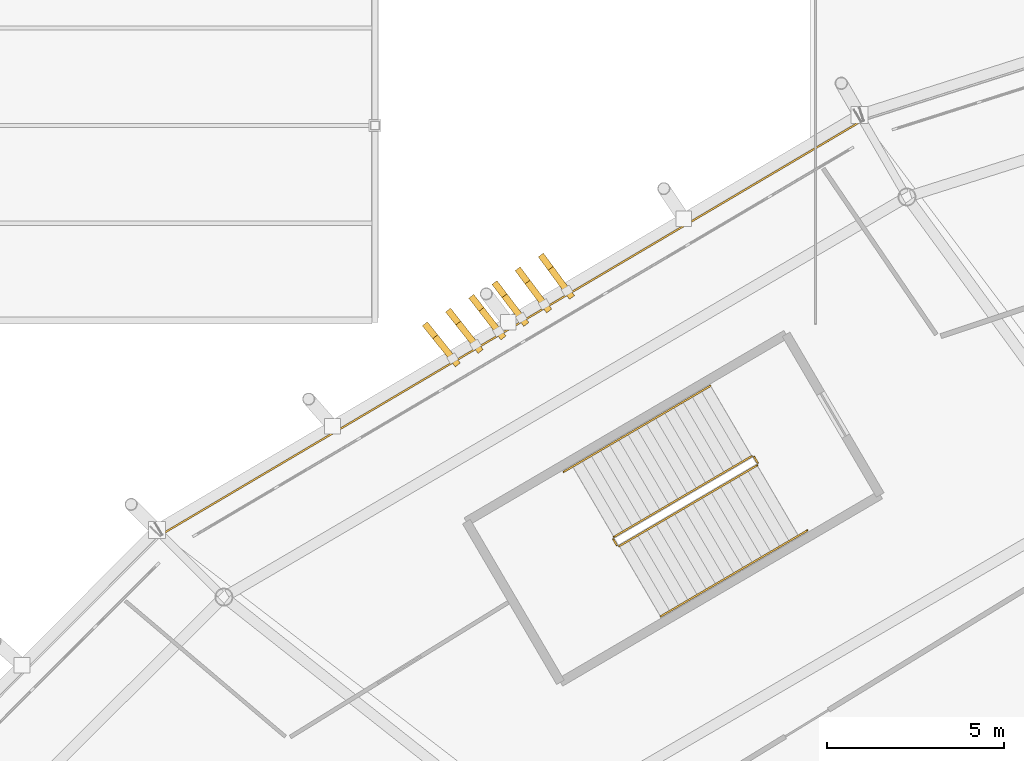
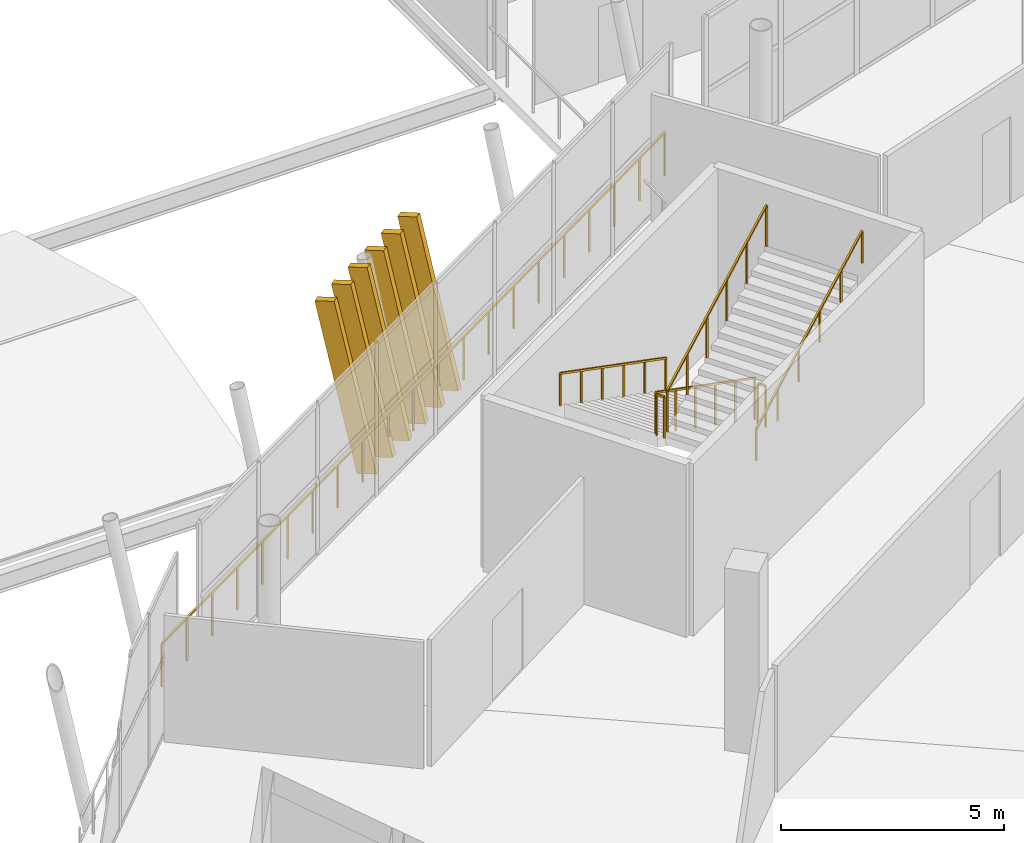
# One storey, part 172 of 179: 7 railings, 6 shading devices.
"""IFC4 building model written with IfcOpenShell, lengths in metres."""

from ifc_helpers import new_model, si_unit, direction, frame, origin, origin_2d, place, context, subcontext, project, spatial, rectangle, extrude, material, material_profile, profile_set, type_object, element, save


model = new_model("IFC4")

# Units and contexts
model_context = context("Model", 3, precision=1e-05, world=origin(), true_north=direction((0.0, 1.0)))
body_context = subcontext(model_context, "Body", "Model", "MODEL_VIEW")
ifc_project = project(units=[si_unit("LENGTHUNIT", "METRE"), si_unit("AREAUNIT", "SQUARE_METRE"), si_unit("VOLUMEUNIT", "CUBIC_METRE"), si_unit("PLANEANGLEUNIT", "RADIAN"), si_unit("MASSUNIT", "GRAM", prefix="KILO")], contexts=[model_context])

# Site, building, storey
site_placement = place(None, origin())
site = spatial("IfcSite", under=ifc_project, at=site_placement, CompositionType="ELEMENT")
building_placement = place(site_placement, origin())
building = spatial("IfcBuilding", under=site, at=building_placement, Name="Zlatoyarsky Gate Stadium", CompositionType="ELEMENT")
storey_placement = place(building_placement, frame((0.0, 0.0, 10.60009765625)))
storey = spatial("IfcBuildingStorey", under=building, at=storey_placement, Name="L02", CompositionType="ELEMENT", Elevation=10.60009765625)

# Railings
ifc_material_1 = material(Name="Powder-coated steel tubular guardrail", Category="steel")
railing_type_1 = type_object("IfcRailingType", Name="CONCOURSE SLAB EDGE GUARDRAIL 1200", PredefinedType="GUARDRAIL", material=ifc_material_1)
railing_1_placement = place(storey_placement, frame((63.252197265625, 143.6494140625, 0.0)))
element("IfcRailing", 1, at=railing_1_placement, inside=storey, type_object=railing_type_1, Name="L02 outer slab edge guardrail 08", PredefinedType="GUARDRAIL", context=body_context, shape_type="SweptSolid", body=[
    extrude(rectangle(XDim=0.048095703125, YDim=0.048095703125, at=origin_2d()), frame((0.0, 0.0, 1.17578125), z_axis=(-0.861062134778, -0.50849975423, 0.0), x_axis=(0.50849975423, -0.861062134778, 0.0)), (0.0, 0.0, 1.0), 22.969482421875),
    extrude(rectangle(XDim=0.0419921875, YDim=0.0419921875, at=origin_2d()), origin(), (0.0, 0.0, 1.0), 1.15185546875),
    extrude(rectangle(XDim=0.0419921875, YDim=0.0419921875, at=origin_2d()), frame((-0.989013671875, -0.583984375, 0.0)), (0.0, 0.0, 1.0), 1.15185546875),
    extrude(rectangle(XDim=0.0419921875, YDim=0.0419921875, at=origin_2d()), frame((-1.977783203125, -1.16796875, 0.0)), (0.0, 0.0, 1.0), 1.15185546875),
    extrude(rectangle(XDim=0.0419921875, YDim=0.0419921875, at=origin_2d()), frame((-2.966796875, -1.751953125, 0.0)), (0.0, 0.0, 1.0), 1.15185546875),
    extrude(rectangle(XDim=0.0419921875, YDim=0.0419921875, at=origin_2d()), frame((-3.95556640625, -2.3359375, 0.0)), (0.0, 0.0, 1.0), 1.15185546875),
    extrude(rectangle(XDim=0.0419921875, YDim=0.0419921875, at=origin_2d()), frame((-4.944580078125, -2.919921875, 0.0)), (0.0, 0.0, 1.0), 1.15185546875),
    extrude(rectangle(XDim=0.0419921875, YDim=0.0419921875, at=origin_2d()), frame((-5.933349609375, -3.50390625, 0.0)), (0.0, 0.0, 1.0), 1.15185546875),
    extrude(rectangle(XDim=0.0419921875, YDim=0.0419921875, at=origin_2d()), frame((-6.92236328125, -4.087890625, 0.0)), (0.0, 0.0, 1.0), 1.15185546875),
    extrude(rectangle(XDim=0.0419921875, YDim=0.0419921875, at=origin_2d()), frame((-7.9111328125, -4.671875, 0.0)), (0.0, 0.0, 1.0), 1.15185546875),
    extrude(rectangle(XDim=0.0419921875, YDim=0.0419921875, at=origin_2d()), frame((-8.900146484375, -5.255859375, 0.0)), (0.0, 0.0, 1.0), 1.15185546875),
    extrude(rectangle(XDim=0.0419921875, YDim=0.0419921875, at=origin_2d()), frame((-9.88916015625, -5.83984375, 0.0)), (0.0, 0.0, 1.0), 1.15185546875),
    extrude(rectangle(XDim=0.0419921875, YDim=0.0419921875, at=origin_2d()), frame((-10.8779296875, -6.424072265625, 0.0)), (0.0, 0.0, 1.0), 1.15185546875),
    extrude(rectangle(XDim=0.0419921875, YDim=0.0419921875, at=origin_2d()), frame((-11.866943359375, -7.008056640625, 0.0)), (0.0, 0.0, 1.0), 1.15185546875),
    extrude(rectangle(XDim=0.0419921875, YDim=0.0419921875, at=origin_2d()), frame((-12.855712890625, -7.592041015625, 0.0)), (0.0, 0.0, 1.0), 1.15185546875),
    extrude(rectangle(XDim=0.0419921875, YDim=0.0419921875, at=origin_2d()), frame((-13.8447265625, -8.176025390625, 0.0)), (0.0, 0.0, 1.0), 1.15185546875),
    extrude(rectangle(XDim=0.0419921875, YDim=0.0419921875, at=origin_2d()), frame((-14.83349609375, -8.760009765625, 0.0)), (0.0, 0.0, 1.0), 1.15185546875),
    extrude(rectangle(XDim=0.0419921875, YDim=0.0419921875, at=origin_2d()), frame((-15.822509765625, -9.343994140625, 0.0)), (0.0, 0.0, 1.0), 1.15185546875),
    extrude(rectangle(XDim=0.0419921875, YDim=0.0419921875, at=origin_2d()), frame((-16.811279296875, -9.927978515625, 0.0)), (0.0, 0.0, 1.0), 1.15185546875),
    extrude(rectangle(XDim=0.0419921875, YDim=0.0419921875, at=origin_2d()), frame((-17.80029296875, -10.511962890625, 0.0)), (0.0, 0.0, 1.0), 1.15185546875),
    extrude(rectangle(XDim=0.0419921875, YDim=0.0419921875, at=origin_2d()), frame((-18.7890625, -11.095947265625, 0.0)), (0.0, 0.0, 1.0), 1.15185546875),
    extrude(rectangle(XDim=0.0419921875, YDim=0.0419921875, at=origin_2d()), frame((-19.778076171875, -11.679931640625, 0.0)), (0.0, 0.0, 1.0), 1.15185546875),
])
ifc_material_2 = material(Name="Powder-coated steel stair guardrail", Category="steel")
railing_type_2 = type_object("IfcRailingType", Name="PAINTED STEEL STAIR WELL GUARDRAIL 1150", PredefinedType="GUARDRAIL", material=ifc_material_2)
railing_2_placement = place(storey_placement, frame((60.1220703125, 134.1767578125, 0.15625)))
element("IfcRailing", 2, at=railing_2_placement, inside=storey, type_object=railing_type_2, Name="ST-05 L02 stair guard 1", PredefinedType="GUARDRAIL", context=body_context, shape_type="SweptSolid", body=[
    extrude(rectangle(XDim=0.048095703125, YDim=0.048095703125, at=origin_2d()), frame((0.0, 0.0, 1.1259765625), z_axis=(-0.765266852459, -0.448314340063, 0.461931701685), x_axis=(0.505475820858, -0.862840770089, 0.0)), (0.0, 0.0, 1.0), 5.07373046875),
    extrude(rectangle(XDim=0.0419921875, YDim=0.0419921875, at=origin_2d()), origin(), (0.0, 0.0, 1.0), 1.101806640625),
    extrude(rectangle(XDim=0.0419921875, YDim=0.0419921875, at=origin_2d()), frame((-0.776611328125, -0.454833984375, 0.46875)), (0.0, 0.0, 1.0), 1.101806640625),
    extrude(rectangle(XDim=0.0419921875, YDim=0.0419921875, at=origin_2d()), frame((-1.55322265625, -0.909912109375, 0.9375)), (0.0, 0.0, 1.0), 1.101806640625),
    extrude(rectangle(XDim=0.0419921875, YDim=0.0419921875, at=origin_2d()), frame((-2.32958984375, -1.36474609375, 1.40625)), (0.0, 0.0, 1.0), 1.101806640625),
    extrude(rectangle(XDim=0.0419921875, YDim=0.0419921875, at=origin_2d()), frame((-3.106201171875, -1.81982421875, 1.875)), (0.0, 0.0, 1.0), 1.101806640625),
    extrude(rectangle(XDim=0.0419921875, YDim=0.0419921875, at=origin_2d()), frame((-3.8828125, -2.274658203125, 2.34375)), (0.0, 0.0, 1.0), 1.101806640625),
])
railing_3_placement = place(storey_placement, frame((56.221435546875, 131.833740234375, 2.5)))
element("IfcRailing", 3, at=railing_3_placement, inside=storey, type_object=railing_type_2, Name="ST-05 L02 stair guard 2", PredefinedType="GUARDRAIL", context=body_context, shape_type="SweptSolid", body=[
    extrude(rectangle(XDim=0.048095703125, YDim=0.048095703125, at=origin_2d()), frame((0.0, 0.0, 1.1259765625), z_axis=(0.505312229679, -0.862936585467, 0.0), x_axis=(0.862936585467, 0.505312229679, 0.0)), (0.0, 0.0, 1.0), 0.199951171875),
    extrude(rectangle(XDim=0.0419921875, YDim=0.0419921875, at=origin_2d()), origin(), (0.0, 0.0, 1.0), 1.101806640625),
    extrude(rectangle(XDim=0.0419921875, YDim=0.0419921875, at=origin_2d()), frame((0.10107421875, -0.172607421875, 0.0)), (0.0, 0.0, 1.0), 1.101806640625),
])
railing_4_placement = place(storey_placement, frame((56.390869140625, 131.643310546875, 2.65625)))
element("IfcRailing", 4, at=railing_4_placement, inside=storey, type_object=railing_type_2, Name="ST-05 L02 stair guard 3", PredefinedType="GUARDRAIL", context=body_context, shape_type="SweptSolid", body=[
    extrude(rectangle(XDim=0.048095703125, YDim=0.048095703125, at=origin_2d()), frame((0.0, 0.0, 1.1259765625), z_axis=(0.765266852459, 0.448314340063, 0.461931701685), x_axis=(-0.505475820858, 0.862840770089, 0.0)), (0.0, 0.0, 1.0), 5.07373046875),
    extrude(rectangle(XDim=0.0419921875, YDim=0.0419921875, at=origin_2d()), origin(), (0.0, 0.0, 1.0), 1.101806640625),
    extrude(rectangle(XDim=0.0419921875, YDim=0.0419921875, at=origin_2d()), frame((0.776611328125, 0.454833984375, 0.46875)), (0.0, 0.0, 1.0), 1.101806640625),
    extrude(rectangle(XDim=0.0419921875, YDim=0.0419921875, at=origin_2d()), frame((1.55322265625, 0.909912109375, 0.9375)), (0.0, 0.0, 1.0), 1.101806640625),
    extrude(rectangle(XDim=0.0419921875, YDim=0.0419921875, at=origin_2d()), frame((2.32958984375, 1.36474609375, 1.40625)), (0.0, 0.0, 1.0), 1.101806640625),
    extrude(rectangle(XDim=0.0419921875, YDim=0.0419921875, at=origin_2d()), frame((3.106201171875, 1.81982421875, 1.875)), (0.0, 0.0, 1.0), 1.101806640625),
    extrude(rectangle(XDim=0.0419921875, YDim=0.0419921875, at=origin_2d()), frame((3.8828125, 2.274658203125, 2.34375)), (0.0, 0.0, 1.0), 1.101806640625),
])
railing_5_placement = place(storey_placement, frame((60.190673828125, 134.158935546875, 0.0)))
element("IfcRailing", 5, at=railing_5_placement, inside=storey, type_object=railing_type_2, Name="ST-05 L02 stair guard 4", PredefinedType="GUARDRAIL", context=body_context, shape_type="SweptSolid", body=[
    extrude(rectangle(XDim=0.048095703125, YDim=0.048095703125, at=origin_2d()), frame((0.0, 0.0, 1.1259765625), z_axis=(0.505312229679, -0.862936585467, 0.0), x_axis=(0.862936585467, 0.505312229679, 0.0)), (0.0, 0.0, 1.0), 0.199951171875),
    extrude(rectangle(XDim=0.0419921875, YDim=0.0419921875, at=origin_2d()), origin(), (0.0, 0.0, 1.0), 1.101806640625),
    extrude(rectangle(XDim=0.0419921875, YDim=0.0419921875, at=origin_2d()), frame((0.10107421875, -0.172607421875, 0.0)), (0.0, 0.0, 1.0), 1.101806640625),
])

# Shading devices
ifc_material_3 = material(Name="Precast concrete C40/50 stone-toned architectural rib", Category="masonry")
ifc_material_profile = material_profile(ifc_material_3, rectangle(XDim=0.179931640625, YDim=0.47998046875, at=origin_2d()), Name="RIB 180X480")
ifc_profile_set = profile_set([ifc_material_profile], Name="Precast concrete C40/50 stone-toned architectural rib")
shading_device_type = type_object("IfcShadingDeviceType", Name="PRECAST RIBBED BOWL LOUVRE FIN 180X480", PredefinedType="JALOUSIE", material=ifc_profile_set)
shading_device_1_placement = place(storey_placement, frame((54.917236328125, 138.841796875, -0.010009765625), z_axis=(-0.131100145938, 0.178608670651, 0.975147011739), x_axis=(-0.806145655377, -0.591717147222, 0.0)))
element("IfcShadingDevice", 6, at=shading_device_1_placement, inside=storey, type_object=shading_device_type, Name="Leaning bowl louvre fin L02-08-1", PredefinedType="JALOUSIE", context=body_context, shape_type="SweptSolid", body=[
    extrude(rectangle(XDim=0.179931640625, YDim=0.47998046875, at=origin_2d()), origin(), (0.0, 0.0, 1.0), 4.59423828125),
])
for number, where, z_axis, x_axis, name in (
    (7, (54.271484375, 138.460205078125, -0.010009765625), (-0.132589693304, 0.177441677732, 0.975158666184), (-0.801063945585, -0.598578779346, 0.0), "Leaning bowl louvre fin L02-08-2"),
    (8, (53.625732421875, 138.078857421875, -0.010009765625), (-0.134078796155, 0.176274025702, 0.97516682895), (-0.795921692274, -0.605399586858, 0.0), "Leaning bowl louvre fin L02-08-3"),
):
    element("IfcShadingDevice", number, at=place(storey_placement, frame(where, z_axis=z_axis, x_axis=x_axis)), inside=storey, type_object=shading_device_type, Name=name, PredefinedType="JALOUSIE", context=body_context, shape_type="SweptSolid", body=[
        extrude(rectangle(XDim=0.179931640625, YDim=0.47998046875, at=origin_2d()), origin(), (0.0, 0.0, 1.0), 4.593994140625),
    ])
shading_device_2_placement = place(storey_placement, frame((52.97998046875, 137.697265625, -0.010009765625), z_axis=(-0.1356183419, 0.175155977626, 0.975155397279), x_axis=(-0.790693739308, -0.612211900096, 0.0)))
element("IfcShadingDevice", 9, at=shading_device_2_placement, inside=storey, type_object=shading_device_type, Name="Leaning bowl louvre fin L02-08-4", PredefinedType="JALOUSIE", context=body_context, shape_type="SweptSolid", body=[
    extrude(rectangle(XDim=0.179931640625, YDim=0.47998046875, at=origin_2d()), origin(), (0.0, 0.0, 1.0), 4.59423828125),
])
shading_device_3_placement = place(storey_placement, frame((52.334228515625, 137.31591796875, -0.010009765625), z_axis=(-0.13710774835, 0.173935527267, 0.975165574504), x_axis=(-0.785343195798, -0.619060630968, 0.0)))
element("IfcShadingDevice", 10, at=shading_device_3_placement, inside=storey, type_object=shading_device_type, Name="Leaning bowl louvre fin L02-08-5", PredefinedType="JALOUSIE", context=body_context, shape_type="SweptSolid", body=[
    extrude(rectangle(XDim=0.179931640625, YDim=0.47998046875, at=origin_2d()), origin(), (0.0, 0.0, 1.0), 4.593994140625),
])
shading_device_4_placement = place(storey_placement, frame((51.6884765625, 136.934326171875, -0.010009765625), z_axis=(-0.138594127022, 0.172817523419, 0.975154229624), x_axis=(-0.780119326242, -0.625630751181, 0.0)))
element("IfcShadingDevice", 11, at=shading_device_4_placement, inside=storey, type_object=shading_device_type, Name="Leaning bowl louvre fin L02-08-6", PredefinedType="JALOUSIE", context=body_context, shape_type="SweptSolid", body=[
    extrude(rectangle(XDim=0.179931640625, YDim=0.47998046875, at=origin_2d()), origin(), (0.0, 0.0, 1.0), 4.59423828125),
])

# Railings
ifc_material_4 = material(Name="Brushed stainless steel 316 handrail", Category="steel")
railing_type_3 = type_object("IfcRailingType", Name="STAINLESS STEEL TUBULAR HANDRAIL 900", PredefinedType="HANDRAIL", material=ifc_material_4)
railing_6_placement = place(storey_placement, frame((58.959716796875, 136.161376953125, 0.16015625)))
element("IfcRailing", 12, at=railing_6_placement, inside=storey, type_object=railing_type_3, Name="ST-05 L02 stair handrail 1", PredefinedType="HANDRAIL", context=body_context, shape_type="SweptSolid", body=[
    extrude(rectangle(XDim=0.048095703125, YDim=0.048095703125, at=origin_2d()), frame((0.0, 0.0, 0.8759765625), z_axis=(-0.765282623084, -0.448298184981, 0.46192125319), x_axis=(0.505454504659, -0.86285325735, 0.0)), (0.0, 0.0, 1.0), 5.412109375),
    extrude(rectangle(XDim=0.0419921875, YDim=0.0419921875, at=origin_2d()), origin(), (0.0, 0.0, 1.0), 0.851806640625),
    extrude(rectangle(XDim=0.0419921875, YDim=0.0419921875, at=origin_2d()), frame((-0.828369140625, -0.4853515625, 0.5)), (0.0, 0.0, 1.0), 0.851806640625),
    extrude(rectangle(XDim=0.0419921875, YDim=0.0419921875, at=origin_2d()), frame((-1.65673828125, -0.970458984375, 1.0)), (0.0, 0.0, 1.0), 0.851806640625),
    extrude(rectangle(XDim=0.0419921875, YDim=0.0419921875, at=origin_2d()), frame((-2.485107421875, -1.455810546875, 1.5)), (0.0, 0.0, 1.0), 0.851806640625),
    extrude(rectangle(XDim=0.0419921875, YDim=0.0419921875, at=origin_2d()), frame((-3.3134765625, -1.94091796875, 2.0)), (0.0, 0.0, 1.0), 0.851806640625),
    extrude(rectangle(XDim=0.0419921875, YDim=0.0419921875, at=origin_2d()), frame((-4.141845703125, -2.42626953125, 2.5)), (0.0, 0.0, 1.0), 0.851806640625),
])
railing_7_placement = place(storey_placement, frame((57.553466796875, 129.65869140625, 2.66015625)))
element("IfcRailing", 13, at=railing_7_placement, inside=storey, type_object=railing_type_3, Name="ST-05 L02 stair handrail 2", PredefinedType="HANDRAIL", context=body_context, shape_type="SweptSolid", body=[
    extrude(rectangle(XDim=0.048095703125, YDim=0.048095703125, at=origin_2d()), frame((0.0, 0.0, 0.8759765625), z_axis=(0.765282623084, 0.448298184981, 0.46192125319), x_axis=(-0.505454504659, 0.86285325735, 0.0)), (0.0, 0.0, 1.0), 5.412109375),
    extrude(rectangle(XDim=0.0419921875, YDim=0.0419921875, at=origin_2d()), origin(), (0.0, 0.0, 1.0), 0.851806640625),
    extrude(rectangle(XDim=0.0419921875, YDim=0.0419921875, at=origin_2d()), frame((0.828369140625, 0.4853515625, 0.5)), (0.0, 0.0, 1.0), 0.851806640625),
    extrude(rectangle(XDim=0.0419921875, YDim=0.0419921875, at=origin_2d()), frame((1.65673828125, 0.970458984375, 1.0)), (0.0, 0.0, 1.0), 0.851806640625),
    extrude(rectangle(XDim=0.0419921875, YDim=0.0419921875, at=origin_2d()), frame((2.485107421875, 1.455810546875, 1.5)), (0.0, 0.0, 1.0), 0.851806640625),
    extrude(rectangle(XDim=0.0419921875, YDim=0.0419921875, at=origin_2d()), frame((3.3134765625, 1.94091796875, 2.0)), (0.0, 0.0, 1.0), 0.851806640625),
    extrude(rectangle(XDim=0.0419921875, YDim=0.0419921875, at=origin_2d()), frame((4.141845703125, 2.42626953125, 2.5)), (0.0, 0.0, 1.0), 0.851806640625),
])

save(model, "model.ifc")
